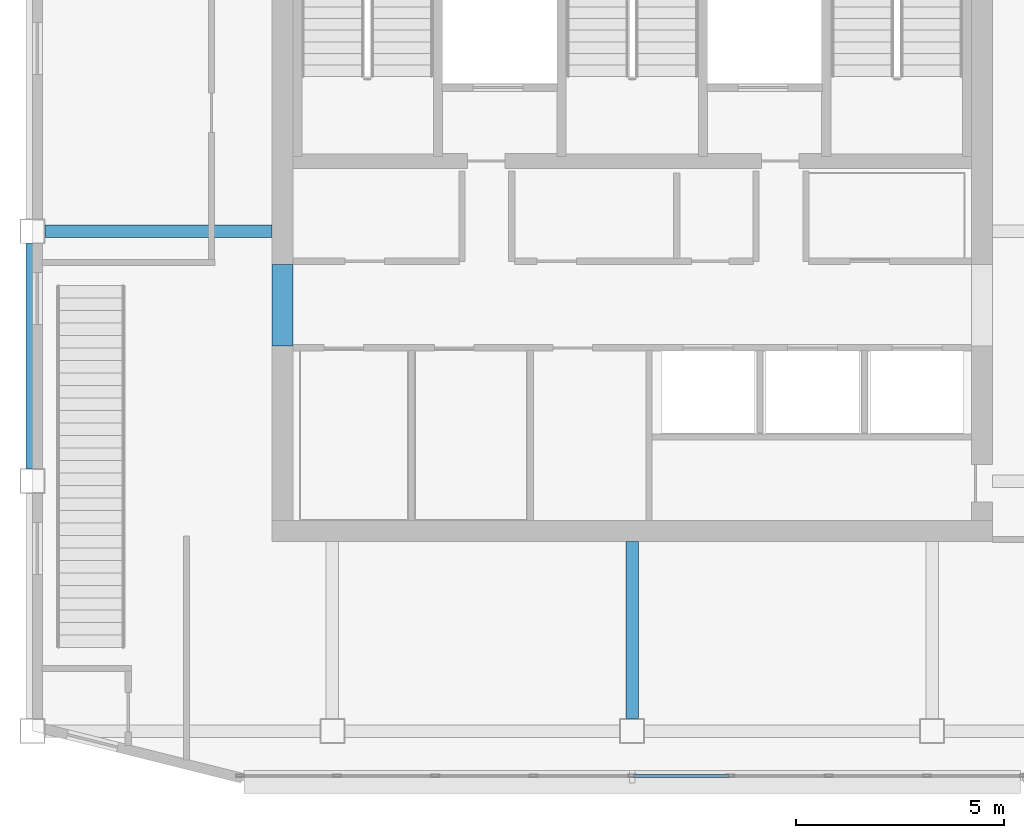
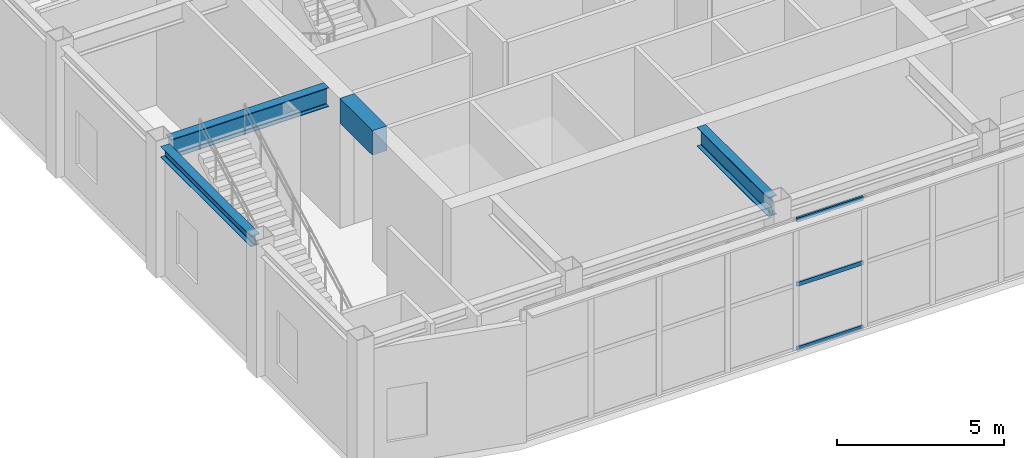
# One storey, part 3 of 11: 4 beams, 3 members, 1 element without a shape of its own.
"""IFC4 building model written with IfcOpenShell, lengths in metres."""

from ifc_helpers import new_model, si_unit, direction, frame, origin, origin_2d, place, context, subcontext, project, spatial, rectangle, hollow_rectangle, i_section, extrude, material, layer, layer_set, material_profile, profile_set, type_object, element, aggregate, save


model = new_model("IFC4")

# Units and contexts
model_context = context("Model", 3, precision=1e-05, world=origin(), true_north=direction((0.0, 1.0)))
body_context = subcontext(model_context, "Body", "Model", "MODEL_VIEW")
ifc_project = project(units=[si_unit("LENGTHUNIT", "METRE"), si_unit("AREAUNIT", "SQUARE_METRE"), si_unit("VOLUMEUNIT", "CUBIC_METRE"), si_unit("PLANEANGLEUNIT", "RADIAN"), si_unit("MASSUNIT", "GRAM", prefix="KILO")], contexts=[model_context])

# Site, building, storey
site_placement = place(None, origin())
site = spatial("IfcSite", under=ifc_project, at=site_placement, CompositionType="ELEMENT")
building_placement = place(site_placement, origin())
building = spatial("IfcBuilding", under=site, at=building_placement, Name="Haolan Belvedere Tower", CompositionType="ELEMENT")
storey_placement = place(building_placement, frame((0.0, 0.0, 318.199951171875)))
storey = spatial("IfcBuildingStorey", under=building, at=storey_placement, Name="L80", CompositionType="ELEMENT", Elevation=318.199951171875)

# Beams
ifc_material_1 = material(Name="Steel Q355B", Category="steel")
ifc_material_profile_1 = material_profile(ifc_material_1, i_section(OverallWidth=0.300048828125, OverallDepth=0.389892578125, WebThickness=0.010009765625, FlangeThickness=0.01611328125, FilletRadius=0.02197265625, at=origin_2d()), Name="Steel Q355B")
ifc_profile_set_1 = profile_set([ifc_material_profile_1], Name="Steel Q355B")
beam_type_1 = type_object("IfcBeamType", Name="BM-HM390x300x10x16", PredefinedType="SPANDREL", material=ifc_profile_set_1)
beam_1_placement = place(storey_placement, frame((24.0, 27.89990234375, 4.56494140625), z_axis=(0.0, 1.0, 0.0), x_axis=(-1.0, 0.0, 0.0)))
element("IfcBeam", 1, at=beam_1_placement, inside=storey, type_object=beam_type_1, Name="L80 spandrel girder TC-T3-W1-MC-T3-MW", PredefinedType="SPANDREL", context=body_context, shape_type="SweptSolid", body=[
    extrude(i_section(OverallWidth=0.300048828125, OverallDepth=0.389892578125, WebThickness=0.010009765625, FlangeThickness=0.01611328125, FilletRadius=0.02197265625, at=origin_2d()), origin(), (0.0, 0.0, 1.0), 5.400146484375),
])
ifc_material_profile_2 = material_profile(ifc_material_1, i_section(OverallWidth=0.300048828125, OverallDepth=0.699951171875, WebThickness=0.012939453125, FlangeThickness=0.02392578125, FilletRadius=0.02587890625, at=origin_2d()), Name="Steel Q355B")
ifc_profile_set_2 = profile_set([ifc_material_profile_2], Name="Steel Q355B")
beam_type_2 = type_object("IfcBeamType", Name="BM-HN700x300x13x24", PredefinedType="BEAM", material=ifc_profile_set_2)
beam_2_placement = place(storey_placement, frame((24.300048828125, 33.60009765625, 4.41015625), z_axis=(1.0, 0.0, 0.0), x_axis=(0.0, 1.0, 0.0)))
element("IfcBeam", 2, at=beam_2_placement, inside=storey, type_object=beam_type_2, Name="L80 core tie beam from MC-T3-MW", PredefinedType="BEAM", context=body_context, shape_type="SweptSolid", body=[
    extrude(i_section(OverallWidth=0.300048828125, OverallDepth=0.699951171875, WebThickness=0.012939453125, FlangeThickness=0.02392578125, FilletRadius=0.02587890625, at=origin_2d()), origin(), (0.0, 0.0, 1.0), 5.449951171875),
])
beam_3_placement = place(storey_placement, frame((38.39990234375, 21.89990234375, 4.41015625), z_axis=(0.0, 1.0, 0.0), x_axis=(-1.0, 0.0, 0.0)))
element("IfcBeam", 3, at=beam_3_placement, inside=storey, type_object=beam_type_2, Name="L80 core tie beam from TC-T3-SM", PredefinedType="BEAM", context=body_context, shape_type="SweptSolid", body=[
    extrude(i_section(OverallWidth=0.300048828125, OverallDepth=0.699951171875, WebThickness=0.012939453125, FlangeThickness=0.02392578125, FilletRadius=0.02587890625, at=origin_2d()), origin(), (0.0, 0.0, 1.0), 4.25),
])
ifc_material_2 = material(Name="Concrete C60/75", Category="concrete")
ifc_material_profile_3 = material_profile(ifc_material_2, rectangle(XDim=0.5, YDim=0.89990234375, at=origin_2d()), Name="Concrete C60/75")
ifc_profile_set_3 = profile_set([ifc_material_profile_3], Name="Concrete C60/75")
beam_type_3 = type_object("IfcBeamType", Name="BM-RC500x900", PredefinedType="LINTEL", material=ifc_profile_set_3)
beam_4_placement = place(storey_placement, frame((30.0, 30.85009765625, 4.31005859375), z_axis=(0.0, 1.0, 0.0), x_axis=(-1.0, 0.0, 0.0)))
element("IfcBeam", 4, at=beam_4_placement, inside=storey, type_object=beam_type_3, Name="L80 west core coupling beam CB-01", PredefinedType="LINTEL", context=body_context, shape_type="SweptSolid", body=[
    extrude(rectangle(XDim=0.5, YDim=0.89990234375, at=origin_2d()), origin(), (0.0, 0.0, 1.0), 1.949951171875),
])

# Curtain wall, members
ifc_material_3 = material(Name="Anodised champagne-silver aluminium 6063-T6 and Low-E glass", Category="aluminium")
ifc_layer = layer(ifc_material_3, 0.195068359375, Name="Anodised champagne-silver aluminium 6063-T6 and Low-E glass")
ifc_layer_set = layer_set([ifc_layer], Name="Anodised champagne-silver aluminium 6063-T6 and Low-E glass")
curtain_wall_type = type_object("IfcCurtainWallType", Name="CW-SYS-06", PredefinedType="NOTDEFINED", material=ifc_layer_set)
curtain_wall_placement = place(storey_placement, origin())
curtain_wall = element("IfcCurtainWall", 5, at=curtain_wall_placement, inside=storey, type_object=curtain_wall_type, Name="L80 CW-SYS-06 ribbon curtain wall 1.1", PredefinedType="NOTDEFINED")
ifc_material_4 = material(Name="Anodised aluminium 6063-T6", Category="aluminium")
ifc_material_profile_4 = material_profile(ifc_material_4, hollow_rectangle(XDim=0.06494140625, YDim=0.14990234375, WallThickness=0.00390625, at=origin_2d()), Name="Anodised aluminium 6063-T6")
ifc_profile_set_4 = profile_set([ifc_material_profile_4], Name="Anodised aluminium 6063-T6")
member_type = type_object("IfcMemberType", Name="CW-SYS-06-TRN", PredefinedType="USERDEFINED", material=ifc_profile_set_4)
member_1_placement = place(storey_placement, frame((38.43505859375, 20.52001953125, 0.032470703125), z_axis=(1.0, 0.0, 0.0), x_axis=(0.0, 1.0, 0.0)))
member_1 = element("IfcMember", 6, at=member_1_placement, type_object=member_type, Name="CW-06 transom 5.1", ObjectType="TRANSOM", PredefinedType="USERDEFINED", context=body_context, shape_type="SweptSolid", body=[
    extrude(hollow_rectangle(XDim=0.06494140625, YDim=0.14990234375, WallThickness=0.00390625, at=origin_2d()), origin(), (0.0, 0.0, 1.0), 2.291259765625),
])
member_2_placement = place(storey_placement, frame((38.43505859375, 20.52001953125, 2.380126953125), z_axis=(1.0, 0.0, 0.0), x_axis=(0.0, 1.0, 0.0)))
member_2 = element("IfcMember", 7, at=member_2_placement, type_object=member_type, Name="CW-06 transom 5.2", ObjectType="TRANSOM", PredefinedType="USERDEFINED", context=body_context, shape_type="SweptSolid", body=[
    extrude(hollow_rectangle(XDim=0.06494140625, YDim=0.14990234375, WallThickness=0.00390625, at=origin_2d()), origin(), (0.0, 0.0, 1.0), 2.291259765625),
])
member_3_placement = place(storey_placement, frame((38.43505859375, 20.52001953125, 4.7275390625), z_axis=(1.0, 0.0, 0.0), x_axis=(0.0, 1.0, 0.0)))
member_3 = element("IfcMember", 8, at=member_3_placement, type_object=member_type, Name="CW-06 transom 5.3", ObjectType="TRANSOM", PredefinedType="USERDEFINED", context=body_context, shape_type="SweptSolid", body=[
    extrude(hollow_rectangle(XDim=0.06494140625, YDim=0.14990234375, WallThickness=0.00390625, at=origin_2d()), origin(), (0.0, 0.0, 1.0), 2.291259765625),
])
aggregate(curtain_wall, [member_1, member_2, member_3])

save(model, "model.ifc")
